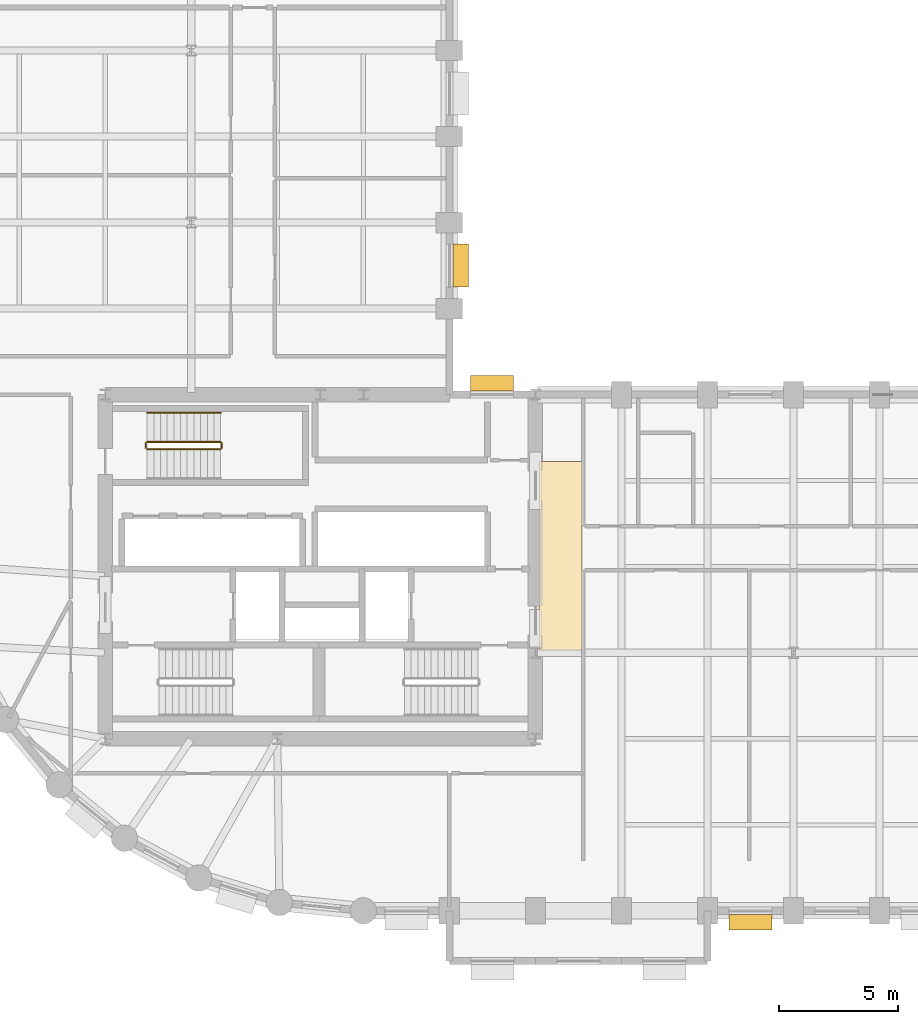
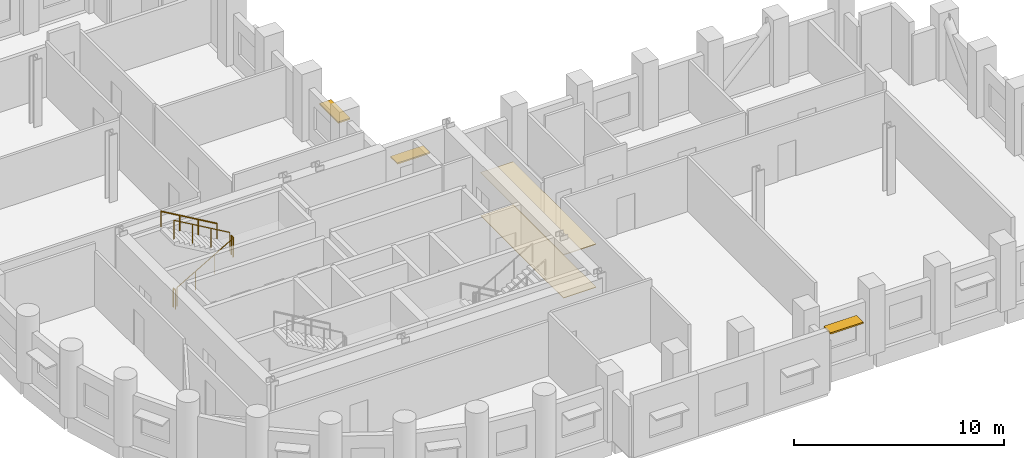
# One storey, part 9 of 10: 5 railings, 3 shading devices, 2 coverings.
"""IFC4 building model written with IfcOpenShell, lengths in metres."""

from ifc_helpers import new_model, si_unit, direction, frame, origin, origin_2d, place, context, subcontext, project, spatial, polyline, rectangle, circle, outline, extrude, material, layer, layer_set, type_object, element, save


model = new_model("IFC4")

# Units and contexts
model_context = context("Model", 3, precision=1e-05, world=origin(), true_north=direction((0.0, 1.0)))
body_context = subcontext(model_context, "Body", "Model", "MODEL_VIEW")
ifc_project = project(units=[si_unit("LENGTHUNIT", "METRE"), si_unit("AREAUNIT", "SQUARE_METRE"), si_unit("VOLUMEUNIT", "CUBIC_METRE"), si_unit("PLANEANGLEUNIT", "RADIAN"), si_unit("MASSUNIT", "GRAM", prefix="KILO")], contexts=[model_context])

# Site, building, storey
site_placement = place(None, origin())
site = spatial("IfcSite", under=ifc_project, at=site_placement, CompositionType="ELEMENT")
building_placement = place(site_placement, origin())
building = spatial("IfcBuilding", under=site, at=building_placement, Name="Solnavia Interchange Tower", CompositionType="ELEMENT")
storey_placement = place(building_placement, frame((0.0, 0.0, 95.699951171875)))
storey = spatial("IfcBuildingStorey", under=building, at=storey_placement, Name="L23", CompositionType="ELEMENT", Elevation=95.699951171875)

# Coverings
ifc_material_1 = material(Name="Perforated Mineral-Fibre & Gypsum Ceiling", Category="gypsum")
ifc_layer_1 = layer(ifc_material_1, 0.0400390625)
ifc_layer_set_1 = layer_set([ifc_layer_1], Name="Perforated Mineral-Fibre & Gypsum Ceiling")
covering_type_1 = type_object("IfcCoveringType", Name="Covering-Ceiling-Acoustic40", PredefinedType="CEILING", material=ifc_layer_set_1)
covering_1_placement = place(storey_placement, frame((0.0, 0.0, 2.5)))
element("IfcCovering", 1, at=covering_1_placement, inside=storey, type_object=covering_type_1, Name="CLG-L23-01 Circulation suspended acoustic ceiling", PredefinedType="CEILING", context=body_context, shape_type="SweptSolid", body=[
    extrude(outline(polyline([(32.550048828125, 14.5), (34.35009765625, 14.5), (34.35009765625, 22.39990234375), (32.550048828125, 22.39990234375), (32.550048828125, 14.5)])), origin(), (0.0, 0.0, 1.0), 0.0400390625),
])
ifc_material_2 = material(Name="Polished Alicante Stone Terrazzo", Category="masonry")
ifc_layer_2 = layer(ifc_material_2, 0.02490234375)
ifc_layer_set_2 = layer_set([ifc_layer_2], Name="Polished Alicante Stone Terrazzo")
covering_type_2 = type_object("IfcCoveringType", Name="Covering-Flooring-Terrazzo25", PredefinedType="FLOORING", material=ifc_layer_set_2)
covering_2_placement = place(storey_placement, origin())
element("IfcCovering", 2, at=covering_2_placement, inside=storey, type_object=covering_type_2, Name="FLR-L23-01 Circulation floor finish", PredefinedType="FLOORING", context=body_context, shape_type="SweptSolid", body=[
    extrude(outline(polyline([(32.550048828125, 14.5), (34.35009765625, 14.5), (34.35009765625, 22.39990234375), (32.550048828125, 22.39990234375), (32.550048828125, 14.5)])), origin(), (0.0, 0.0, 1.0), 0.025146484375),
])

# Railings
ifc_material_3 = material(Name="Painted Steel Balustrade", Category="steel")
railing_type_1 = type_object("IfcRailingType", Name="Railing-StairGuard-1100", PredefinedType="GUARDRAIL", material=ifc_material_3)
railing_1_placement = place(storey_placement, frame((16.14990234375, 22.919921875, 0.16259765625)))
element("IfcRailing", 3, at=railing_1_placement, inside=storey, type_object=railing_type_1, Name="L23 ST-3 stair guard 1", PredefinedType="GUARDRAIL", context=body_context, shape_type="SweptSolid", body=[
    extrude(circle(Radius=0.02392578125, at=origin_2d()), frame((0.0, 0.0, 1.09619140625), z_axis=(0.864920483161, 0.0, 0.501908913857), x_axis=(0.0, 1.0, 0.0)), (0.0, 0.0, 1.0), 3.56103515625),
    extrude(circle(Radius=0.02099609375, at=origin_2d()), origin(), (0.0, 0.0, 1.0), 1.072021484375),
    extrude(circle(Radius=0.02099609375, at=origin_2d()), frame((1.026611328125, 0.0, 0.595703125)), (0.0, 0.0, 1.0), 1.072021484375),
    extrude(circle(Radius=0.02099609375, at=origin_2d()), frame((2.053466796875, 0.0, 1.191650390625)), (0.0, 0.0, 1.0), 1.072021484375),
    extrude(circle(Radius=0.02099609375, at=origin_2d()), frame((3.080078125, 0.0, 1.787353515625)), (0.0, 0.0, 1.0), 1.072021484375),
])
railing_2_placement = place(storey_placement, frame((19.280029296875, 22.969970703125, 1.949951171875)))
element("IfcRailing", 4, at=railing_2_placement, inside=storey, type_object=railing_type_1, Name="L23 ST-3 stair guard 2", PredefinedType="GUARDRAIL", context=body_context, shape_type="SweptSolid", body=[
    extrude(circle(Radius=0.02392578125, at=origin_2d()), frame((0.0, 0.0, 1.09619140625), z_axis=(0.0, 1.0, 0.0), x_axis=(-1.0, 0.0, 0.0)), (0.0, 0.0, 1.0), 0.199951171875),
    extrude(circle(Radius=0.02099609375, at=origin_2d()), origin(), (0.0, 0.0, 1.0), 1.072021484375),
    extrude(circle(Radius=0.02099609375, at=origin_2d()), frame((0.0, 0.199951171875, 0.0)), (0.0, 0.0, 1.0), 1.072021484375),
])
railing_3_placement = place(storey_placement, frame((19.22998046875, 23.219970703125, 2.112548828125)))
element("IfcRailing", 5, at=railing_3_placement, inside=storey, type_object=railing_type_1, Name="L23 ST-3 stair guard 3", PredefinedType="GUARDRAIL", context=body_context, shape_type="SweptSolid", body=[
    extrude(circle(Radius=0.02392578125, at=origin_2d()), frame((0.0, 0.0, 1.09619140625), z_axis=(-0.864890721111, 0.0, 0.501960198159), x_axis=(0.0, -1.0, 0.0)), (0.0, 0.0, 1.0), 3.561279296875),
    extrude(circle(Radius=0.02099609375, at=origin_2d()), origin(), (0.0, 0.0, 1.0), 1.072021484375),
    extrude(circle(Radius=0.02099609375, at=origin_2d()), frame((-1.026611328125, 0.0, 0.595947265625)), (0.0, 0.0, 1.0), 1.072021484375),
    extrude(circle(Radius=0.02099609375, at=origin_2d()), frame((-2.053466796875, 0.0, 1.191650390625)), (0.0, 0.0, 1.0), 1.072021484375),
    extrude(circle(Radius=0.02099609375, at=origin_2d()), frame((-3.080078125, 0.0, 1.78759765625)), (0.0, 0.0, 1.0), 1.072021484375),
])
railing_4_placement = place(storey_placement, frame((16.10009765625, 22.969970703125, 0.0)))
element("IfcRailing", 6, at=railing_4_placement, inside=storey, type_object=railing_type_1, Name="L23 ST-3 stair guard 4", PredefinedType="GUARDRAIL", context=body_context, shape_type="SweptSolid", body=[
    extrude(circle(Radius=0.02392578125, at=origin_2d()), frame((0.0, 0.0, 1.09619140625), z_axis=(0.0, 1.0, 0.0), x_axis=(-1.0, 0.0, 0.0)), (0.0, 0.0, 1.0), 0.199951171875),
    extrude(circle(Radius=0.02099609375, at=origin_2d()), origin(), (0.0, 0.0, 1.0), 1.072021484375),
    extrude(circle(Radius=0.02099609375, at=origin_2d()), frame((0.0, 0.199951171875, 0.0)), (0.0, 0.0, 1.0), 1.072021484375),
])
ifc_material_4 = material(Name="Brushed Stainless Steel", Category="steel")
railing_type_2 = type_object("IfcRailingType", Name="Railing-StairHandrail-900", PredefinedType="HANDRAIL", material=ifc_material_4)
railing_5_placement = place(storey_placement, frame((19.22998046875, 24.43994140625, 2.112548828125)))
element("IfcRailing", 7, at=railing_5_placement, inside=storey, type_object=railing_type_2, Name="L23 ST-3 stair handrail 2", PredefinedType="HANDRAIL", context=body_context, shape_type="SweptSolid", body=[
    extrude(circle(Radius=0.02392578125, at=origin_2d()), frame((0.0, 0.0, 0.8759765625), z_axis=(-0.864890721111, 0.0, 0.501960198159), x_axis=(0.0, -1.0, 0.0)), (0.0, 0.0, 1.0), 3.561279296875),
    extrude(circle(Radius=0.02099609375, at=origin_2d()), origin(), (0.0, 0.0, 1.0), 0.851806640625),
    extrude(circle(Radius=0.02099609375, at=origin_2d()), frame((-1.026611328125, 0.0, 0.595947265625)), (0.0, 0.0, 1.0), 0.851806640625),
    extrude(circle(Radius=0.02099609375, at=origin_2d()), frame((-2.053466796875, 0.0, 1.191650390625)), (0.0, 0.0, 1.0), 0.851806640625),
    extrude(circle(Radius=0.02099609375, at=origin_2d()), frame((-3.080078125, 0.0, 1.78759765625)), (0.0, 0.0, 1.0), 0.851806640625),
])

# Shading devices
ifc_material_5 = material(Name="Anodised Aluminium Sunshade", Category="aluminium")
ifc_layer_3 = layer(ifc_material_5, 0.080078125)
ifc_layer_set_3 = layer_set([ifc_layer_3], Name="Anodised Aluminium Sunshade")
shading_device_type = type_object("IfcShadingDeviceType", Name="Sunshade-Band-650", PredefinedType="SHUTTER", material=ifc_layer_set_3)
for number, where, z_axis, x_axis, name in (
    (8, (41.39990234375, 3.1298828125, 2.219970703125), (0.0, 0.0, 1.0), (-1.0, 0.0, 0.0), "SHD-L23-07 Horizontal sunshade band"),
    (9, (30.577880859375, 25.669921875, 2.219970703125), (0.0, 0.0, 1.0), (1.0, 0.0, 0.0), "SHD-L23-29 Horizontal sunshade band"),
    (10, (29.27001953125, 30.60009765625, 2.219970703125), (0.0, 0.0, 1.0), (0.0, -1.0, 0.0), "SHD-L23-31 Horizontal sunshade band"),
):
    element("IfcShadingDevice", number, at=place(storey_placement, frame(where, z_axis=z_axis, x_axis=x_axis)), inside=storey, type_object=shading_device_type, Name=name, PredefinedType="SHUTTER", context=body_context, shape_type="SweptSolid", body=[
        extrude(rectangle(XDim=1.800048828125, YDim=0.64990234375, at=origin_2d()), origin(), (0.0, 0.0, 1.0), 0.080078125),
    ])

save(model, "model.ifc")
